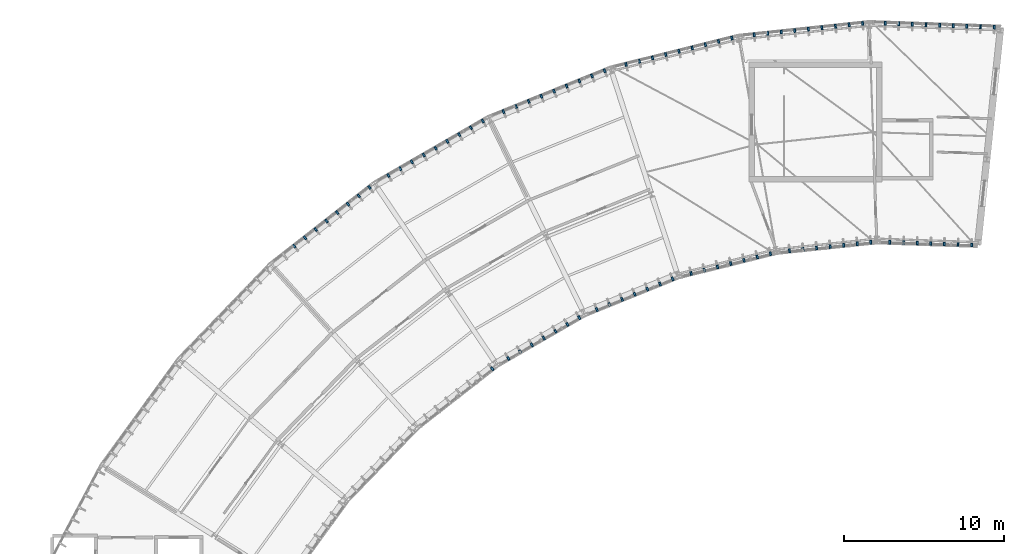
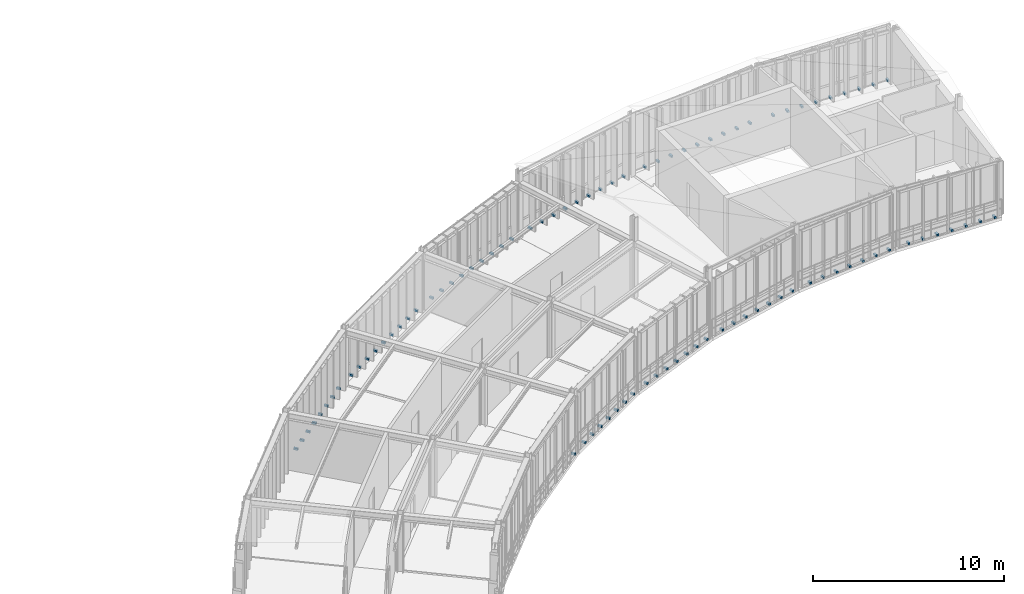
# One storey, part 35 of 42: 89 discrete accessories.
"""IFC4 building model written with IfcOpenShell, lengths in metres."""

from ifc_helpers import new_model, si_unit, direction, frame, origin, origin_2d, place, context, subcontext, project, spatial, rectangle, extrude, material, type_object, element, save


model = new_model("IFC4")

# Units and contexts
model_context = context("Model", 3, precision=1e-05, world=origin(), true_north=direction((0.0, 1.0)))
body_context = subcontext(model_context, "Body", "Model", "MODEL_VIEW")
ifc_project = project(units=[si_unit("LENGTHUNIT", "METRE"), si_unit("AREAUNIT", "SQUARE_METRE"), si_unit("VOLUMEUNIT", "CUBIC_METRE"), si_unit("PLANEANGLEUNIT", "RADIAN"), si_unit("MASSUNIT", "GRAM", prefix="KILO"), si_unit("THERMODYNAMICTEMPERATUREUNIT", "KELVIN"), si_unit("POWERUNIT", "WATT")], contexts=[model_context])

# Site, building, storey
site_placement = place(None, origin())
site = spatial("IfcSite", under=ifc_project, at=site_placement, CompositionType="ELEMENT")
building_placement = place(site_placement, origin())
building = spatial("IfcBuilding", under=site, at=building_placement, Name="Solvatero Civic Police Headquarters", CompositionType="ELEMENT")
storey_placement = place(building_placement, frame((0.0, 0.0, 21.60009765625)))
storey = spatial("IfcBuildingStorey", under=building, at=storey_placement, Name="L05", CompositionType="ELEMENT", Elevation=21.60009765625)

# Discrete accessories
ifc_material = material(Name="Steel S355", Category="steel")
discrete_accessory_type = type_object("IfcDiscreteAccessoryType", Name="ACC-BRK-FIN", PredefinedType="BRACKET", material=ifc_material)
for number, where, z_axis, x_axis, name in (
    (1, (99.737060546875, 84.52197265625, -0.000244140625), (0.0, 0.0, 1.0), (-0.999390217756, 0.034916939358, 0.0), "Slab-Edge Fin Bracket 0998"),
    (2, (98.8876953125, 84.551513671875, -0.000244140625), (0.0, 0.0, 1.0), (-0.999390217756, 0.034916939358, 0.0), "Slab-Edge Fin Bracket 0999"),
    (3, (98.0380859375, 84.581298828125, -0.000244140625), (0.0, 0.0, 1.0), (-0.999390217756, 0.034916939358, 0.0), "Slab-Edge Fin Bracket 1000"),
    (4, (97.188720703125, 84.61083984375, -0.000244140625), (0.0, 0.0, 1.0), (-0.999390217756, 0.034916939358, 0.0), "Slab-Edge Fin Bracket 1001"),
    (5, (96.339111328125, 84.640625, -0.000244140625), (0.0, 0.0, 1.0), (-0.999390217756, 0.034916939358, 0.0), "Slab-Edge Fin Bracket 1002"),
    (6, (95.48974609375, 84.670166015625, -0.000244140625), (0.0, 0.0, 1.0), (-0.999390217756, 0.034916939358, 0.0), "Slab-Edge Fin Bracket 1003"),
    (7, (94.64013671875, 84.699951171875, -0.000244140625), (0.0, 0.0, 1.0), (-0.999390217756, 0.034916939358, 0.0), "Slab-Edge Fin Bracket 1004"),
    (8, (93.790771484375, 84.7294921875, -0.000244140625), (0.0, 0.0, 1.0), (-0.999390217756, 0.034916939358, 0.0), "Slab-Edge Fin Bracket 1005"),
    (9, (92.941162109375, 84.75927734375, -0.000244140625), (0.0, 0.0, 1.0), (-0.999390217756, 0.034916939358, 0.0), "Slab-Edge Fin Bracket 1006"),
    (10, (98.33447265625, 70.93603515625, -0.000244140625), (0.0, 0.0, 1.0), (-0.999390827019, 0.034899496703, 0.0), "Slab-Edge Fin Bracket 1007"),
    (11, (97.48486328125, 70.9658203125, -0.000244140625), (0.0, 0.0, 1.0), (-0.999390827019, 0.034899496703, 0.0), "Slab-Edge Fin Bracket 1008"),
    (12, (96.635498046875, 70.99560546875, -0.000244140625), (0.0, 0.0, 1.0), (-0.999390827019, 0.034899496703, 0.0), "Slab-Edge Fin Bracket 1009"),
    (13, (95.785888671875, 71.025146484375, -0.000244140625), (0.0, 0.0, 1.0), (-0.999390827019, 0.034899496703, 0.0), "Slab-Edge Fin Bracket 1010"),
    (14, (94.936279296875, 71.0546875, -0.000244140625), (0.0, 0.0, 1.0), (-0.999390827019, 0.034899496703, 0.0), "Slab-Edge Fin Bracket 1011"),
    (15, (94.0869140625, 71.08447265625, -0.000244140625), (0.0, 0.0, 1.0), (-0.999390827019, 0.034899496703, 0.0), "Slab-Edge Fin Bracket 1012"),
    (16, (93.237548828125, 71.114013671875, -0.000244140625), (0.0, 0.0, 1.0), (-0.999390827019, 0.034899496703, 0.0), "Slab-Edge Fin Bracket 1013"),
    (17, (91.53662109375, 84.7509765625, -0.000244140625), (0.0, 0.0, 1.0), (-0.994523719583, -0.10451110557, 0.0), "Slab-Edge Fin Bracket 1014"),
    (18, (90.691162109375, 84.662109375, -0.000244140625), (0.0, 0.0, 1.0), (-0.994523719583, -0.10451110557, 0.0), "Slab-Edge Fin Bracket 1015"),
    (19, (89.845703125, 84.5732421875, -0.000244140625), (0.0, 0.0, 1.0), (-0.994523719583, -0.10451110557, 0.0), "Slab-Edge Fin Bracket 1016"),
    (20, (89.00048828125, 84.484375, -0.000244140625), (0.0, 0.0, 1.0), (-0.994523719583, -0.10451110557, 0.0), "Slab-Edge Fin Bracket 1017"),
    (21, (88.155029296875, 84.3955078125, -0.000244140625), (0.0, 0.0, 1.0), (-0.994523719583, -0.10451110557, 0.0), "Slab-Edge Fin Bracket 1018"),
    (22, (87.309814453125, 84.306640625, -0.000244140625), (0.0, 0.0, 1.0), (-0.994523719583, -0.10451110557, 0.0), "Slab-Edge Fin Bracket 1019"),
    (23, (86.464599609375, 84.2177734375, -0.000244140625), (0.0, 0.0, 1.0), (-0.994523719583, -0.10451110557, 0.0), "Slab-Edge Fin Bracket 1020"),
    (24, (85.619140625, 84.12890625, -0.000244140625), (0.0, 0.0, 1.0), (-0.994523719583, -0.10451110557, 0.0), "Slab-Edge Fin Bracket 1021"),
    (25, (84.773681640625, 84.0400390625, -0.000244140625), (0.0, 0.0, 1.0), (-0.994523719583, -0.10451110557, 0.0), "Slab-Edge Fin Bracket 1022"),
    (26, (92.04833984375, 71.10302734375, -0.000244140625), (0.0, 0.0, 1.0), (-0.994521895368, -0.104528463268, 0.0), "Slab-Edge Fin Bracket 1023"),
    (27, (91.202880859375, 71.014404296875, -0.000244140625), (0.0, 0.0, 1.0), (-0.994521895368, -0.104528463268, 0.0), "Slab-Edge Fin Bracket 1024"),
    (28, (90.357666015625, 70.92529296875, -0.000244140625), (0.0, 0.0, 1.0), (-0.994521895368, -0.104528463268, 0.0), "Slab-Edge Fin Bracket 1025"),
    (29, (89.51220703125, 70.836669921875, -0.000244140625), (0.0, 0.0, 1.0), (-0.994521895368, -0.104528463268, 0.0), "Slab-Edge Fin Bracket 1026"),
    (30, (88.6669921875, 70.747802734375, -0.000244140625), (0.0, 0.0, 1.0), (-0.994521895368, -0.104528463268, 0.0), "Slab-Edge Fin Bracket 1027"),
    (31, (87.821533203125, 70.658935546875, -0.000244140625), (0.0, 0.0, 1.0), (-0.994521895368, -0.104528463268, 0.0), "Slab-Edge Fin Bracket 1028"),
    (32, (86.976318359375, 70.570068359375, -0.000244140625), (0.0, 0.0, 1.0), (-0.994521895368, -0.104528463268, 0.0), "Slab-Edge Fin Bracket 1029"),
    (33, (83.3837890625, 83.836181640625, -0.000244140625), (0.0, 0.0, 1.0), (-0.970295726276, -0.2419218956, 0.0), "Slab-Edge Fin Bracket 1030"),
    (34, (82.55908203125, 83.630615234375, -0.000244140625), (0.0, 0.0, 1.0), (-0.970295726276, -0.2419218956, 0.0), "Slab-Edge Fin Bracket 1031"),
    (35, (81.734375, 83.425048828125, -0.000244140625), (0.0, 0.0, 1.0), (-0.970295726276, -0.2419218956, 0.0), "Slab-Edge Fin Bracket 1032"),
    (36, (80.90966796875, 83.219482421875, -0.000244140625), (0.0, 0.0, 1.0), (-0.970295726276, -0.2419218956, 0.0), "Slab-Edge Fin Bracket 1033"),
    (37, (80.0849609375, 83.013916015625, -0.000244140625), (0.0, 0.0, 1.0), (-0.970295726276, -0.2419218956, 0.0), "Slab-Edge Fin Bracket 1034"),
    (38, (79.26025390625, 82.80810546875, -0.000244140625), (0.0, 0.0, 1.0), (-0.970295726276, -0.2419218956, 0.0), "Slab-Edge Fin Bracket 1035"),
    (39, (78.435302734375, 82.6025390625, -0.000244140625), (0.0, 0.0, 1.0), (-0.970295726276, -0.2419218956, 0.0), "Slab-Edge Fin Bracket 1036"),
    (40, (77.610595703125, 82.396728515625, -0.000244140625), (0.0, 0.0, 1.0), (-0.970295726276, -0.2419218956, 0.0), "Slab-Edge Fin Bracket 1037"),
    (41, (76.785888671875, 82.191162109375, -0.000244140625), (0.0, 0.0, 1.0), (-0.970295726276, -0.2419218956, 0.0), "Slab-Edge Fin Bracket 1038"),
    (42, (85.7900390625, 70.392578125, -0.000244140625), (0.0, 0.0, 1.0), (-0.970299948462, -0.241904960708, 0.0), "Slab-Edge Fin Bracket 1039"),
    (43, (84.96533203125, 70.18701171875, -0.000244140625), (0.0, 0.0, 1.0), (-0.970299948462, -0.241904960708, 0.0), "Slab-Edge Fin Bracket 1040"),
    (44, (84.140625, 69.981201171875, -0.000244140625), (0.0, 0.0, 1.0), (-0.970299948462, -0.241904960708, 0.0), "Slab-Edge Fin Bracket 1041"),
    (45, (83.31591796875, 69.775634765625, -0.000244140625), (0.0, 0.0, 1.0), (-0.970299948462, -0.241904960708, 0.0), "Slab-Edge Fin Bracket 1042"),
    (46, (82.4912109375, 69.570068359375, -0.000244140625), (0.0, 0.0, 1.0), (-0.970299948462, -0.241904960708, 0.0), "Slab-Edge Fin Bracket 1043"),
    (47, (81.66650390625, 69.364501953125, -0.000244140625), (0.0, 0.0, 1.0), (-0.970299948462, -0.241904960708, 0.0), "Slab-Edge Fin Bracket 1044"),
    (48, (80.841552734375, 69.15869140625, -0.000244140625), (0.0, 0.0, 1.0), (-0.970299948462, -0.241904960708, 0.0), "Slab-Edge Fin Bracket 1045"),
    (49, (75.447509765625, 81.7998046875, -0.000244140625), (0.0, 0.0, 1.0), (-0.927183854567, -0.374606593416, 0.0), "Slab-Edge Fin Bracket 1046"),
    (50, (74.6591796875, 81.481201171875, -0.000244140625), (0.0, 0.0, 1.0), (-0.927183854567, -0.374606593416, 0.0), "Slab-Edge Fin Bracket 1047"),
    (51, (73.87109375, 81.162841796875, -0.000244140625), (0.0, 0.0, 1.0), (-0.927183854567, -0.374606593416, 0.0), "Slab-Edge Fin Bracket 1048"),
    (52, (73.0830078125, 80.844482421875, -0.000244140625), (0.0, 0.0, 1.0), (-0.927183854567, -0.374606593416, 0.0), "Slab-Edge Fin Bracket 1049"),
    (53, (72.294921875, 80.526123046875, -0.000244140625), (0.0, 0.0, 1.0), (-0.927183854567, -0.374606593416, 0.0), "Slab-Edge Fin Bracket 1050"),
    (54, (71.5068359375, 80.207763671875, -0.000244140625), (0.0, 0.0, 1.0), (-0.927183854567, -0.374606593416, 0.0), "Slab-Edge Fin Bracket 1051"),
    (55, (70.71875, 79.88916015625, -0.000244140625), (0.0, 0.0, 1.0), (-0.927183854567, -0.374606593416, 0.0), "Slab-Edge Fin Bracket 1052"),
    (56, (69.9306640625, 79.57080078125, -0.000244140625), (0.0, 0.0, 1.0), (-0.927183854567, -0.374606593416, 0.0), "Slab-Edge Fin Bracket 1053"),
    (57, (69.142578125, 79.25244140625, -0.000244140625), (0.0, 0.0, 1.0), (-0.927183854567, -0.374606593416, 0.0), "Slab-Edge Fin Bracket 1054"),
    (58, (79.691650390625, 68.81787109375, -0.000244140625), (0.0, 0.0, 1.0), (-0.927183854567, -0.374606593416, 0.0), "Slab-Edge Fin Bracket 1055"),
    (59, (78.903564453125, 68.49951171875, -0.000244140625), (0.0, 0.0, 1.0), (-0.927183854567, -0.374606593416, 0.0), "Slab-Edge Fin Bracket 1056"),
    (60, (78.115478515625, 68.18115234375, -0.000244140625), (0.0, 0.0, 1.0), (-0.927183854567, -0.374606593416, 0.0), "Slab-Edge Fin Bracket 1057"),
    (61, (77.327392578125, 67.86279296875, -0.000244140625), (0.0, 0.0, 1.0), (-0.927183854567, -0.374606593416, 0.0), "Slab-Edge Fin Bracket 1058"),
    (62, (76.539306640625, 67.544189453125, -0.000244140625), (0.0, 0.0, 1.0), (-0.927183854567, -0.374606593416, 0.0), "Slab-Edge Fin Bracket 1059"),
    (63, (75.751220703125, 67.225830078125, -0.000244140625), (0.0, 0.0, 1.0), (-0.927183854567, -0.374606593416, 0.0), "Slab-Edge Fin Bracket 1060"),
    (64, (74.963134765625, 66.907470703125, -0.000244140625), (0.0, 0.0, 1.0), (-0.927183854567, -0.374606593416, 0.0), "Slab-Edge Fin Bracket 1061"),
    (65, (67.853515625, 78.669677734375, -0.000244140625), (0.0, 0.0, 1.0), (-0.866034130299, -0.499984884929, 0.0), "Slab-Edge Fin Bracket 1062"),
    (66, (67.1171875, 78.24462890625, -0.000244140625), (0.0, 0.0, 1.0), (-0.866034130299, -0.499984884929, 0.0), "Slab-Edge Fin Bracket 1063"),
    (67, (66.381103515625, 77.819580078125, -0.000244140625), (0.0, 0.0, 1.0), (-0.866034130299, -0.499984884929, 0.0), "Slab-Edge Fin Bracket 1064"),
    (68, (65.64501953125, 77.39453125, -0.000244140625), (0.0, 0.0, 1.0), (-0.866034130299, -0.499984884929, 0.0), "Slab-Edge Fin Bracket 1065"),
    (69, (64.908935546875, 76.969482421875, -0.000244140625), (0.0, 0.0, 1.0), (-0.866034130299, -0.499984884929, 0.0), "Slab-Edge Fin Bracket 1066"),
    (70, (64.1728515625, 76.544677734375, -0.000244140625), (0.0, 0.0, 1.0), (-0.866034130299, -0.499984884929, 0.0), "Slab-Edge Fin Bracket 1067"),
    (71, (63.436767578125, 76.11962890625, -0.000244140625), (0.0, 0.0, 1.0), (-0.866034130299, -0.499984884929, 0.0), "Slab-Edge Fin Bracket 1068"),
    (72, (62.70068359375, 75.694580078125, -0.000244140625), (0.0, 0.0, 1.0), (-0.866034130299, -0.499984884929, 0.0), "Slab-Edge Fin Bracket 1069"),
    (73, (61.96435546875, 75.26953125, -0.000244140625), (0.0, 0.0, 1.0), (-0.866034130299, -0.499984884929, 0.0), "Slab-Edge Fin Bracket 1070"),
    (74, (73.86328125, 66.405029296875, -0.000244140625), (0.0, 0.0, 1.0), (-0.866025403784, -0.5, 0.0), "Slab-Edge Fin Bracket 1071"),
    (75, (73.127197265625, 65.97998046875, -0.000244140625), (0.0, 0.0, 1.0), (-0.866025403784, -0.5, 0.0), "Slab-Edge Fin Bracket 1072"),
    (76, (72.390869140625, 65.554931640625, -0.000244140625), (0.0, 0.0, 1.0), (-0.866025403784, -0.5, 0.0), "Slab-Edge Fin Bracket 1073"),
    (77, (71.65478515625, 65.1298828125, -0.000244140625), (0.0, 0.0, 1.0), (-0.866025403784, -0.5, 0.0), "Slab-Edge Fin Bracket 1074"),
    (78, (70.918701171875, 64.705078125, -0.000244140625), (0.0, 0.0, 1.0), (-0.866025403784, -0.5, 0.0), "Slab-Edge Fin Bracket 1075"),
    (79, (70.1826171875, 64.280029296875, -0.000244140625), (0.0, 0.0, 1.0), (-0.866025403784, -0.5, 0.0), "Slab-Edge Fin Bracket 1076"),
    (80, (69.446533203125, 63.85498046875, -0.000244140625), (0.0, 0.0, 1.0), (-0.866025403784, -0.5, 0.0), "Slab-Edge Fin Bracket 1077"),
    (81, (60.78564453125, 74.5244140625, -0.000244140625), (0.0, 0.0, 1.0), (-0.788010753607, -0.615661475326, 0.0), "Slab-Edge Fin Bracket 1078"),
    (82, (60.11572265625, 74.001220703125, -0.000244140625), (0.0, 0.0, 1.0), (-0.788010753607, -0.615661475326, 0.0), "Slab-Edge Fin Bracket 1079"),
    (83, (59.446044921875, 73.477783203125, -0.000244140625), (0.0, 0.0, 1.0), (-0.788010753607, -0.615661475326, 0.0), "Slab-Edge Fin Bracket 1080"),
    (84, (58.776123046875, 72.954345703125, -0.000244140625), (0.0, 0.0, 1.0), (-0.788010753607, -0.615661475326, 0.0), "Slab-Edge Fin Bracket 1081"),
    (85, (58.106201171875, 72.43115234375, -0.000244140625), (0.0, 0.0, 1.0), (-0.788010753607, -0.615661475326, 0.0), "Slab-Edge Fin Bracket 1082"),
    (86, (57.4365234375, 71.90771484375, -0.000244140625), (0.0, 0.0, 1.0), (-0.788010753607, -0.615661475326, 0.0), "Slab-Edge Fin Bracket 1083"),
    (87, (56.7666015625, 71.384521484375, -0.000244140625), (0.0, 0.0, 1.0), (-0.788010753607, -0.615661475326, 0.0), "Slab-Edge Fin Bracket 1084"),
    (88, (56.096923828125, 70.861083984375, -0.000244140625), (0.0, 0.0, 1.0), (-0.788010753607, -0.615661475326, 0.0), "Slab-Edge Fin Bracket 1085"),
    (89, (68.44384765625, 63.21533203125, -0.000244140625), (0.0, 0.0, 1.0), (-0.788010753607, -0.615661475326, 0.0), "Slab-Edge Fin Bracket 1087"),
):
    element("IfcDiscreteAccessory", number, at=place(storey_placement, frame(where, z_axis=z_axis, x_axis=x_axis)), inside=storey, type_object=discrete_accessory_type, Name=name, PredefinedType="BRACKET", context=body_context, shape_type="SweptSolid", body=[
        extrude(rectangle(XDim=0.1201171875, YDim=0.239990234375, at=origin_2d()), origin(), (0.0, 0.0, 1.0), 0.1201171875),
    ])

save(model, "model.ifc")
